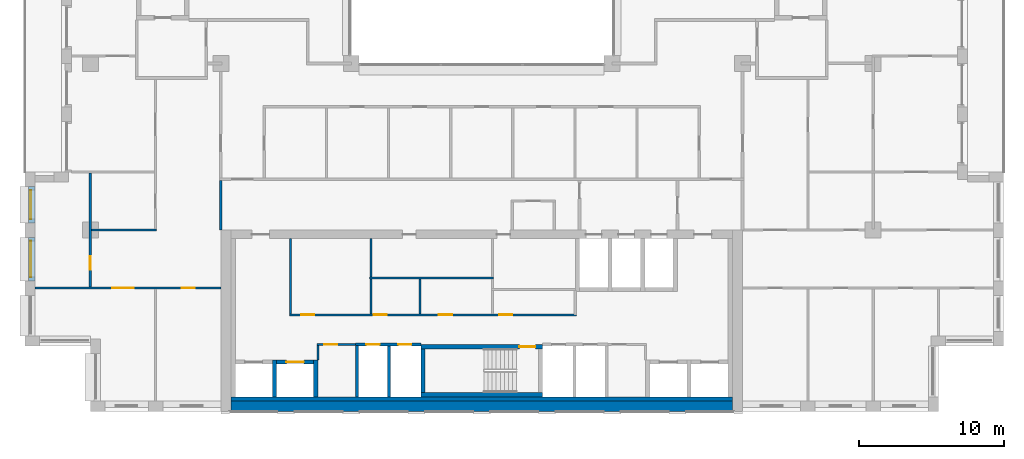
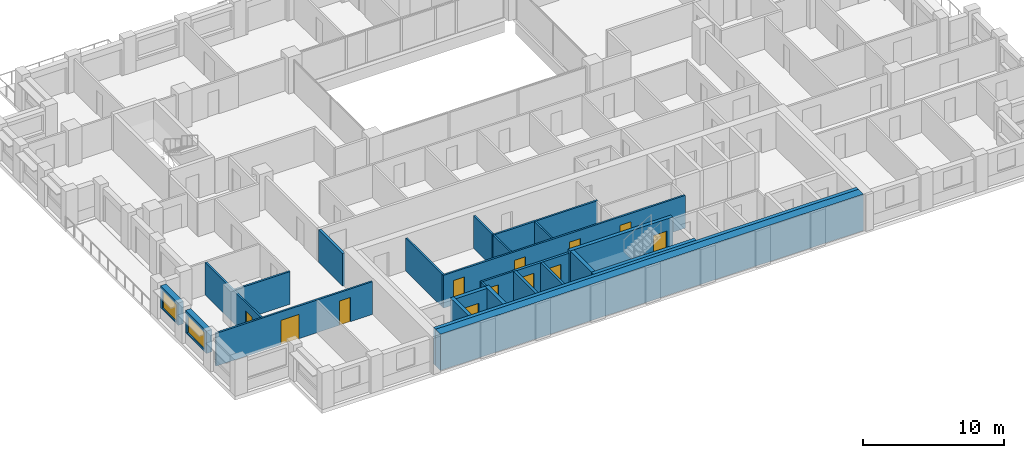
# One storey, part 8 of 15: 25 walls, 12 doors, 2 windows, 14 openings.
"""IFC4 building model written with IfcOpenShell, lengths in metres."""

from ifc_helpers import new_model, si_unit, direction, frame, frame_2d, origin, place, context, subcontext, project, spatial, rectangle, extrude, material, layer, layer_set, type_object, element, fill, save


model = new_model("IFC4")

# Units and contexts
model_context = context("Model", 3, precision=1e-05, world=origin(), true_north=direction((0.0, 1.0)))
body_context = subcontext(model_context, "Body", "Model", "MODEL_VIEW")
ifc_project = project(units=[si_unit("LENGTHUNIT", "METRE"), si_unit("AREAUNIT", "SQUARE_METRE"), si_unit("VOLUMEUNIT", "CUBIC_METRE"), si_unit("PLANEANGLEUNIT", "RADIAN"), si_unit("MASSUNIT", "GRAM", prefix="KILO")], contexts=[model_context])

# Site, building, storey
site_placement = place(None, origin())
site = spatial("IfcSite", under=ifc_project, at=site_placement, CompositionType="ELEMENT")
building_placement = place(site_placement, origin())
building = spatial("IfcBuilding", under=site, at=building_placement, Name="Brigalow Station Residences", CompositionType="ELEMENT")
storey_placement = place(building_placement, frame((0.0, 0.0, 175.949951171875)))
storey = spatial("IfcBuildingStorey", under=building, at=storey_placement, Name="L51", CompositionType="ELEMENT", Elevation=175.949951171875)

# Wall, opening, window
ifc_material_1 = material(Name="Clay brick masonry", Category="masonry")
ifc_layer_1 = layer(ifc_material_1, 0.449951171875)
ifc_layer_set_1 = layer_set([ifc_layer_1], Name="BRICK INFILL WALL 450")
wall_type_1 = type_object("IfcWallType", Name="BRICK INFILL WALL 450", PredefinedType="SOLIDWALL", material=ifc_layer_set_1)
wall_1_placement = place(storey_placement, frame((4.97509765625, 15.5, 0.900146484375), z_axis=(0.0, 0.0, 1.0), x_axis=(0.0, -1.0, 0.0)))
wall_1 = element("IfcWall", 1, at=wall_1_placement, inside=storey, type_object=wall_type_1, Name="L51/ewall/W-L51-45", PredefinedType="SOLIDWALL", context=body_context, shape_type="SweptSolid", body=[
    extrude(rectangle(XDim=2.5, YDim=0.449951171875, at=frame_2d((1.25, 0.0))), origin(), (0.0, 0.0, 1.0), 1.929931640625),
])
opening_1_placement = place(wall_1_placement, frame((0.25, 0.0, 0.14990234375)))
opening_1 = element("IfcOpeningElement", 2, at=opening_1_placement, cuts=wall_1, Name="Opening WT-7", PredefinedType="OPENING", context=body_context, shape_type="SweptSolid", body=[
    extrude(rectangle(XDim=2.0, YDim=1.5, at=frame_2d((1.0, 0.75))), frame((0.0, 0.23486328125, 0.0), z_axis=(0.0, -1.0, 0.0), x_axis=(1.0, 0.0, 0.0)), (0.0, 0.0, 1.0), 0.469970703125),
])
ifc_material_2 = material(Name="Anodised aluminium frame with double glazing", Category="aluminium")
window_type_1 = type_object("IfcWindowType", Name="WINDOW 2000x1500", PartitioningType="SINGLE_PANEL", PredefinedType="WINDOW", material=ifc_material_2)
window_1_placement = place(opening_1_placement, origin())
window_1 = element("IfcWindow", 3, at=window_1_placement, inside=storey, type_object=window_type_1, Name="L51/window/W-L51-45", OverallHeight=1.5, OverallWidth=2.0, PartitioningType="SINGLE_PANEL", PredefinedType="WINDOW", context=body_context, shape_type="SweptSolid", body=[
    extrude(rectangle(XDim=2.0, YDim=1.5, at=frame_2d((1.0, 0.75))), frame((0.0, -0.06494140625, 0.0), z_axis=(0.0, -1.0, 0.0), x_axis=(1.0, 0.0, 0.0)), (0.0, 0.0, 1.0), 0.06005859375),
])
fill(opening_1, window_1)

wall_2_placement = place(storey_placement, frame((4.97509765625, 12.0, 0.900146484375), z_axis=(0.0, 0.0, 1.0), x_axis=(0.0, -1.0, 0.0)))
wall_2 = element("IfcWall", 4, at=wall_2_placement, inside=storey, type_object=wall_type_1, Name="L51/ewall/W-L51-46", PredefinedType="SOLIDWALL", context=body_context, shape_type="SweptSolid", body=[
    extrude(rectangle(XDim=3.0, YDim=0.449951171875, at=frame_2d((1.5, 0.0))), origin(), (0.0, 0.0, 1.0), 1.929931640625),
])
opening_2_placement = place(wall_2_placement, frame((0.25, 0.0, 0.14990234375)))
opening_2 = element("IfcOpeningElement", 5, at=opening_2_placement, cuts=wall_2, Name="Opening WT-5", PredefinedType="OPENING", context=body_context, shape_type="SweptSolid", body=[
    extrude(rectangle(XDim=2.5, YDim=1.5, at=frame_2d((1.25, 0.75))), frame((0.0, 0.23486328125, 0.0), z_axis=(0.0, -1.0, 0.0), x_axis=(1.0, 0.0, 0.0)), (0.0, 0.0, 1.0), 0.469970703125),
])
ifc_material_3 = material(Name="Anodised aluminium frame with double glazing", Category="aluminium")
window_type_2 = type_object("IfcWindowType", Name="WINDOW 2500x1500", PartitioningType="SINGLE_PANEL", PredefinedType="WINDOW", material=ifc_material_3)
window_2_placement = place(opening_2_placement, origin())
window_2 = element("IfcWindow", 6, at=window_2_placement, inside=storey, type_object=window_type_2, Name="L51/window/W-L51-46", OverallHeight=1.5, OverallWidth=2.5, PartitioningType="SINGLE_PANEL", PredefinedType="WINDOW", context=body_context, shape_type="SweptSolid", body=[
    extrude(rectangle(XDim=2.5, YDim=1.5, at=frame_2d((1.25, 0.75))), frame((0.0, -0.06494140625, 0.0), z_axis=(0.0, -1.0, 0.0), x_axis=(1.0, 0.0, 0.0)), (0.0, 0.0, 1.0), 0.06005859375),
])
fill(opening_2, window_2)

# Wall
ifc_material_4 = material(Name="Concrete C65", Category="concrete")
ifc_layer_2 = layer(ifc_material_4, 0.300048828125)
ifc_layer_set_2 = layer_set([ifc_layer_2], Name="CORE SHEAR WALL 300 C65")
wall_type_2 = type_object("IfcWallType", Name="CORE SHEAR WALL 300 C65", PredefinedType="SHEAR", material=ifc_layer_set_2)
wall_3_placement = place(storey_placement, frame((18.699951171875, 0.85009765625, 0.0), z_axis=(0.0, 0.0, 1.0), x_axis=(1.0, 0.0, 0.0)))
element("IfcWall", 7, at=wall_3_placement, inside=storey, type_object=wall_type_2, Name="CORE WALL LIN-S L51", PredefinedType="SHEAR", context=body_context, shape_type="SweptSolid", body=[
    extrude(rectangle(XDim=34.60009765625, YDim=0.300048828125, at=frame_2d((17.300048828125, 0.0))), origin(), (0.0, 0.0, 1.0), 3.150146484375),
])

# Wall, opening, door
wall_4_placement = place(storey_placement, frame((21.85009765625, 3.39990234375, 0.0), z_axis=(0.0, 0.0, 1.0), x_axis=(1.0, 0.0, 0.0)))
wall_4 = element("IfcWall", 8, at=wall_4_placement, inside=storey, type_object=wall_type_2, Name="CORE WALL SH-C2-N L51", PredefinedType="SHEAR", context=body_context, shape_type="SweptSolid", body=[
    extrude(rectangle(XDim=2.5498046875, YDim=0.300048828125, at=frame_2d((1.27490234375, 0.0))), origin(), (0.0, 0.0, 1.0), 3.150146484375),
])
opening_3_placement = place(wall_4_placement, frame((0.675048828125, 0.0, 0.0)))
opening_3 = element("IfcOpeningElement", 9, at=opening_3_placement, cuts=wall_4, Name="Opening LD-LB2", PredefinedType="OPENING", context=body_context, shape_type="SweptSolid", body=[
    extrude(rectangle(XDim=1.199951171875, YDim=2.10009765625, at=frame_2d((0.60009765625, 1.050048828125))), frame((0.0, 0.16015625, 0.0), z_axis=(0.0, -1.0, 0.0), x_axis=(1.0, 0.0, 0.0)), (0.0, 0.0, 1.0), 0.320068359375),
])
ifc_material_5 = material(Name="Stainless steel sliding door leaves", Category="steel")
door_type_1 = type_object("IfcDoorType", Name="LIFT LANDING DOOR 1200 x 2100", OperationType="DOUBLE_DOOR_SLIDING", PredefinedType="DOOR", material=ifc_material_5)
door_1_placement = place(opening_3_placement, origin())
door_1 = element("IfcDoor", 10, at=door_1_placement, inside=storey, type_object=door_type_1, Name="LANDING DOOR LB2", OperationType="DOUBLE_DOOR_SLIDING", OverallHeight=2.10009765625, OverallWidth=1.199951171875, PredefinedType="DOOR", context=body_context, shape_type="SweptSolid", body=[
    extrude(rectangle(XDim=1.199951171875, YDim=2.10009765625, at=frame_2d((0.60009765625, 1.050048828125))), frame((0.0, 0.02490234375, 0.0), z_axis=(0.0, -1.0, 0.0), x_axis=(1.0, 0.0, 0.0)), (0.0, 0.0, 1.0), 0.050048828125),
])
fill(opening_3, door_1)

# Walls
for number, where, z_axis, x_axis, name in (
    (11, (21.699951171875, 1.0, 0.0), (0.0, 0.0, 1.0), (0.0, 1.0, 0.0), "CORE WALL SH-C2-W L51"),
    (12, (24.550048828125, 1.0, 0.0), (0.0, 0.0, 1.0), (0.0, 1.0, 0.0), "CORE WALL SH-C2-E L51"),
):
    element("IfcWall", number, at=place(storey_placement, frame(where, z_axis=z_axis, x_axis=x_axis)), inside=storey, type_object=wall_type_2, Name=name, PredefinedType="SHEAR", context=body_context, shape_type="SweptSolid", body=[
        extrude(rectangle(XDim=2.550048828125, YDim=0.300048828125, at=frame_2d((1.27490234375, 0.0))), origin(), (0.0, 0.0, 1.0), 3.150146484375),
    ])
wall_5_placement = place(storey_placement, frame((31.800048828125, 1.14990234375, 0.0), z_axis=(0.0, 0.0, 1.0), x_axis=(1.0, 0.0, 0.0)))
element("IfcWall", 13, at=wall_5_placement, inside=storey, type_object=wall_type_2, Name="CORE WALL ST-S2-S L51", PredefinedType="SHEAR", context=body_context, shape_type="SweptSolid", body=[
    extrude(rectangle(XDim=8.39990234375, YDim=0.300048828125, at=frame_2d((4.199951171875, 0.0))), origin(), (0.0, 0.0, 1.0), 3.150146484375),
])

# Wall, opening, door
wall_6_placement = place(storey_placement, frame((31.800048828125, 4.449951171875, 0.0), z_axis=(0.0, 0.0, 1.0), x_axis=(1.0, 0.0, 0.0)))
wall_6 = element("IfcWall", 14, at=wall_6_placement, inside=storey, type_object=wall_type_2, Name="CORE WALL ST-S2-N L51", PredefinedType="SHEAR", context=body_context, shape_type="SweptSolid", body=[
    extrude(rectangle(XDim=8.39990234375, YDim=0.300048828125, at=frame_2d((4.199951171875, 0.0))), origin(), (0.0, 0.0, 1.0), 3.150146484375),
])
opening_4_placement = place(wall_6_placement, frame((6.800048828125, 0.0, 0.0)))
opening_4 = element("IfcOpeningElement", 15, at=opening_4_placement, cuts=wall_6, Name="Opening D-5001", PredefinedType="OPENING", context=body_context, shape_type="SweptSolid", body=[
    extrude(rectangle(XDim=1.10009765625, YDim=2.10009765625, at=frame_2d((0.550048828125, 1.050048828125))), frame((0.0, 0.16015625, 0.0), z_axis=(0.0, -1.0, 0.0), x_axis=(1.0, 0.0, 0.0)), (0.0, 0.0, 1.0), 0.320068359375),
])
ifc_material_6 = material(Name="Steel fire door leaf in steel frame", Category="steel")
door_type_2 = type_object("IfcDoorType", Name="STAIR DOOR 1100 x 2100 FD60S", OperationType="SINGLE_SWING_LEFT", PredefinedType="DOOR", material=ifc_material_6)
door_2_placement = place(opening_4_placement, frame((1.10009765625, 0.0, 0.0), z_axis=(0.0, 0.0, 1.0), x_axis=(-1.0, 0.0, 0.0)))
door_2 = element("IfcDoor", 16, at=door_2_placement, inside=storey, type_object=door_type_2, Name="D-5001", OperationType="SINGLE_SWING_LEFT", OverallHeight=2.10009765625, OverallWidth=1.10009765625, PredefinedType="DOOR", context=body_context, shape_type="SweptSolid", body=[
    extrude(rectangle(XDim=1.10009765625, YDim=2.10009765625, at=frame_2d((0.550048828125, 1.050048828125))), frame((0.0, 0.02490234375, 0.0), z_axis=(0.0, -1.0, 0.0), x_axis=(1.0, 0.0, 0.0)), (0.0, 0.0, 1.0), 0.050048828125),
])
fill(opening_4, door_2)

# Walls
wall_7_placement = place(storey_placement, frame((31.949951171875, 1.300048828125, 0.0), z_axis=(0.0, 0.0, 1.0), x_axis=(0.0, 1.0, 0.0)))
element("IfcWall", 17, at=wall_7_placement, inside=storey, type_object=wall_type_2, Name="CORE WALL ST-S2-W L51", PredefinedType="SHEAR", context=body_context, shape_type="SweptSolid", body=[
    extrude(rectangle(XDim=3.0, YDim=0.300048828125, at=frame_2d((1.5, 0.0))), origin(), (0.0, 0.0, 1.0), 3.150146484375),
])
ifc_material_7 = material(Name="Concrete C65", Category="concrete")
ifc_layer_3 = layer(ifc_material_7, 0.699951171875)
ifc_layer_set_3 = layer_set([ifc_layer_3], Name="CORE SHEAR WALL 700 C65")
wall_type_3 = type_object("IfcWallType", Name="CORE SHEAR WALL 700 C65", PredefinedType="SHEAR", material=ifc_layer_set_3)
wall_8_placement = place(storey_placement, frame((18.699951171875, 0.35009765625, 0.0), z_axis=(0.0, 0.0, 1.0), x_axis=(1.0, 0.0, 0.0)))
element("IfcWall", 18, at=wall_8_placement, inside=storey, type_object=wall_type_3, Name="CORE WALL OUT-S L51", PredefinedType="SHEAR", context=body_context, shape_type="SweptSolid", body=[
    extrude(rectangle(XDim=34.60009765625, YDim=0.699951171875, at=frame_2d((17.300048828125, 0.0))), origin(), (0.0, 0.0, 1.0), 3.150146484375),
])

# Wall, openings, doors
ifc_material_8 = material(Name="Concrete blockwork", Category="masonry")
ifc_layer_4 = layer(ifc_material_8, 0.199951171875)
ifc_layer_set_4 = layer_set([ifc_layer_4], Name="FIRE RATED CORE PARTITION 200")
wall_type_4 = type_object("IfcWallType", Name="FIRE RATED CORE PARTITION 200", PredefinedType="PARTITIONING", material=ifc_layer_set_4)
wall_9_placement = place(storey_placement, frame((27.300048828125, 4.60009765625, 0.0), z_axis=(0.0, 0.0, 1.0), x_axis=(1.0, 0.0, 0.0)))
wall_9 = element("IfcWall", 19, at=wall_9_placement, inside=storey, type_object=wall_type_4, Name="PW-5017", PredefinedType="PARTITIONING", context=body_context, shape_type="SweptSolid", body=[
    extrude(rectangle(XDim=4.5, YDim=0.199951171875, at=frame_2d((2.25, 0.0))), origin(), (0.0, 0.0, 1.0), 2.830078125),
])
opening_5_placement = place(wall_9_placement, frame((0.75, 0.0, 0.0)))
opening_5 = element("IfcOpeningElement", 20, at=opening_5_placement, cuts=wall_9, Name="Opening D-5007", PredefinedType="OPENING", context=body_context, shape_type="SweptSolid", body=[
    extrude(rectangle(XDim=0.89990234375, YDim=2.10009765625, at=frame_2d((0.449951171875, 1.050048828125))), frame((0.0, 0.10986328125, 0.0), z_axis=(0.0, -1.0, 0.0), x_axis=(1.0, 0.0, 0.0)), (0.0, 0.0, 1.0), 0.219970703125),
])
opening_6_placement = place(wall_9_placement, frame((2.949951171875, 0.0, 0.0)))
opening_6 = element("IfcOpeningElement", 21, at=opening_6_placement, cuts=wall_9, Name="Opening D-5008", PredefinedType="OPENING", context=body_context, shape_type="SweptSolid", body=[
    extrude(rectangle(XDim=0.89990234375, YDim=2.10009765625, at=frame_2d((0.449951171875, 1.050048828125))), frame((0.0, 0.10986328125, 0.0), z_axis=(0.0, -1.0, 0.0), x_axis=(1.0, 0.0, 0.0)), (0.0, 0.0, 1.0), 0.219970703125),
])
ifc_material_9 = material(Name="Steel fire door leaf in steel frame", Category="steel")
door_type_3 = type_object("IfcDoorType", Name="RISER ACCESS DOOR 900 x 2100 FD120", OperationType="SINGLE_SWING_LEFT", PredefinedType="DOOR", material=ifc_material_9)
door_3_placement = place(opening_5_placement, frame((0.89990234375, 0.0, 0.0), z_axis=(0.0, 0.0, 1.0), x_axis=(-1.0, 0.0, 0.0)))
door_3 = element("IfcDoor", 22, at=door_3_placement, inside=storey, type_object=door_type_3, Name="D-5007", OperationType="SINGLE_SWING_RIGHT", OverallHeight=2.10009765625, OverallWidth=0.89990234375, PredefinedType="DOOR", context=body_context, shape_type="SweptSolid", body=[
    extrude(rectangle(XDim=0.89990234375, YDim=2.10009765625, at=frame_2d((0.449951171875, 1.050048828125))), frame((0.0, 0.02490234375, 0.0), z_axis=(0.0, -1.0, 0.0), x_axis=(1.0, 0.0, 0.0)), (0.0, 0.0, 1.0), 0.050048828125),
])
fill(opening_5, door_3)
door_4_placement = place(opening_6_placement, frame((0.89990234375, 0.0, 0.0), z_axis=(0.0, 0.0, 1.0), x_axis=(-1.0, 0.0, 0.0)))
door_4 = element("IfcDoor", 23, at=door_4_placement, inside=storey, type_object=door_type_3, Name="D-5008", OperationType="SINGLE_SWING_RIGHT", OverallHeight=2.10009765625, OverallWidth=0.89990234375, PredefinedType="DOOR", context=body_context, shape_type="SweptSolid", body=[
    extrude(rectangle(XDim=0.89990234375, YDim=2.10009765625, at=frame_2d((0.449951171875, 1.050048828125))), frame((0.0, 0.02490234375, 0.0), z_axis=(0.0, -1.0, 0.0), x_axis=(1.0, 0.0, 0.0)), (0.0, 0.0, 1.0), 0.050048828125),
])
fill(opening_6, door_4)

# Walls
wall_10_placement = place(storey_placement, frame((27.39990234375, 1.0, 0.0), z_axis=(0.0, 0.0, 1.0), x_axis=(0.0, 1.0, 0.0)))
element("IfcWall", 24, at=wall_10_placement, inside=storey, type_object=wall_type_4, Name="PW-5027", PredefinedType="PARTITIONING", context=body_context, shape_type="SweptSolid", body=[
    extrude(rectangle(XDim=3.52490234375, YDim=0.199951171875, at=frame_2d((1.762451171875, 0.0))), origin(), (0.0, 0.0, 1.0), 2.830078125),
])
wall_11_placement = place(storey_placement, frame((29.60009765625, 1.0, 0.0), z_axis=(0.0, 0.0, 1.0), x_axis=(0.0, 1.0, 0.0)))
element("IfcWall", 25, at=wall_11_placement, inside=storey, type_object=wall_type_4, Name="PW-5006", PredefinedType="PARTITIONING", context=body_context, shape_type="SweptSolid", body=[
    extrude(rectangle(XDim=3.5, YDim=0.199951171875, at=frame_2d((1.75, 0.0))), origin(), (0.0, 0.0, 1.0), 2.830078125),
])
wall_12_placement = place(storey_placement, frame((18.0, 12.5, 0.0), z_axis=(0.0, 0.0, 1.0), x_axis=(0.0, 1.0, 0.0)))
element("IfcWall", 26, at=wall_12_placement, inside=storey, type_object=wall_type_4, Name="PW-5013", PredefinedType="PARTITIONING", context=body_context, shape_type="SweptSolid", body=[
    extrude(rectangle(XDim=3.39990234375, YDim=0.199951171875, at=frame_2d((1.699951171875, 0.0))), origin(), (0.0, 0.0, 1.0), 2.830078125),
])

# Wall, openings, doors
ifc_material_10 = material(Name="Plasterboard on steel stud partition", Category="steel")
ifc_layer_5 = layer(ifc_material_10, 0.14990234375)
ifc_layer_set_5 = layer_set([ifc_layer_5], Name="FLAT PARTITION 150")
wall_type_5 = type_object("IfcWallType", Name="FLAT PARTITION 150", PredefinedType="PARTITIONING", material=ifc_layer_set_5)
wall_13_placement = place(storey_placement, frame((5.199951171875, 8.5, 0.0), z_axis=(0.0, 0.0, 1.0), x_axis=(1.0, 0.0, 0.0)))
wall_13 = element("IfcWall", 27, at=wall_13_placement, inside=storey, type_object=wall_type_5, Name="PW-3E09", PredefinedType="PARTITIONING", context=body_context, shape_type="SweptSolid", body=[
    extrude(rectangle(XDim=12.800048828125, YDim=0.14990234375, at=frame_2d((6.39990234375, 0.0))), origin(), (0.0, 0.0, 1.0), 2.830078125),
])
opening_7_placement = place(wall_13_placement, frame((10.10009765625, 0.0, 0.0)))
opening_7 = element("IfcOpeningElement", 28, at=opening_7_placement, cuts=wall_13, Name="Opening D-3E04", PredefinedType="OPENING", context=body_context, shape_type="SweptSolid", body=[
    extrude(rectangle(XDim=0.89990234375, YDim=2.10009765625, at=frame_2d((0.449951171875, 1.050048828125))), frame((0.0, 0.0849609375, 0.0), z_axis=(0.0, -1.0, 0.0), x_axis=(1.0, 0.0, 0.0)), (0.0, 0.0, 1.0), 0.169921875),
])
opening_8_placement = place(wall_13_placement, frame((5.300048828125, 0.0, 0.0)))
opening_8 = element("IfcOpeningElement", 29, at=opening_8_placement, cuts=wall_13, Name="Opening D-3E07", PredefinedType="OPENING", context=body_context, shape_type="SweptSolid", body=[
    extrude(rectangle(XDim=1.5, YDim=2.10009765625, at=frame_2d((0.75, 1.050048828125))), frame((0.0, 0.0849609375, 0.0), z_axis=(0.0, -1.0, 0.0), x_axis=(1.0, 0.0, 0.0)), (0.0, 0.0, 1.0), 0.169921875),
])
ifc_material_11 = material(Name="Solid-core timber door leaf", Category="wood")
door_type_4 = type_object("IfcDoorType", Name="INTERNAL DOOR 900 x 2100", OperationType="SINGLE_SWING_LEFT", PredefinedType="DOOR", material=ifc_material_11)
door_5_placement = place(opening_7_placement, frame((0.89990234375, 0.0, 0.0), z_axis=(0.0, 0.0, 1.0), x_axis=(-1.0, 0.0, 0.0)))
door_5 = element("IfcDoor", 30, at=door_5_placement, inside=storey, type_object=door_type_4, Name="D-3E04", OperationType="SINGLE_SWING_RIGHT", OverallHeight=2.10009765625, OverallWidth=0.89990234375, PredefinedType="DOOR", context=body_context, shape_type="SweptSolid", body=[
    extrude(rectangle(XDim=0.89990234375, YDim=2.10009765625, at=frame_2d((0.449951171875, 1.050048828125))), frame((0.0, 0.02490234375, 0.0), z_axis=(0.0, -1.0, 0.0), x_axis=(1.0, 0.0, 0.0)), (0.0, 0.0, 1.0), 0.050048828125),
])
fill(opening_7, door_5)
ifc_material_12 = material(Name="Solid-core timber door leaf", Category="wood")
door_type_5 = type_object("IfcDoorType", Name="INTERNAL DOUBLE DOOR 1500 x 2100", OperationType="DOUBLE_DOOR_SINGLE_SWING", PredefinedType="DOOR", material=ifc_material_12)
door_6_placement = place(opening_8_placement, frame((1.5, 0.0, 0.0), z_axis=(0.0, 0.0, 1.0), x_axis=(-1.0, 0.0, 0.0)))
door_6 = element("IfcDoor", 31, at=door_6_placement, inside=storey, type_object=door_type_5, Name="D-3E07", OperationType="DOUBLE_DOOR_SINGLE_SWING", OverallHeight=2.10009765625, OverallWidth=1.5, PredefinedType="DOOR", context=body_context, shape_type="SweptSolid", body=[
    extrude(rectangle(XDim=1.5, YDim=2.10009765625, at=frame_2d((0.75, 1.050048828125))), frame((0.0, 0.02490234375, 0.0), z_axis=(0.0, -1.0, 0.0), x_axis=(1.0, 0.0, 0.0)), (0.0, 0.0, 1.0), 0.050048828125),
])
fill(opening_8, door_6)

# Wall
wall_14_placement = place(storey_placement, frame((9.074951171875, 12.5, 0.0), z_axis=(0.0, 0.0, 1.0), x_axis=(1.0, 0.0, 0.0)))
element("IfcWall", 32, at=wall_14_placement, inside=storey, type_object=wall_type_5, Name="PW-3E13", PredefinedType="PARTITIONING", context=body_context, shape_type="SweptSolid", body=[
    extrude(rectangle(XDim=4.5, YDim=0.14990234375, at=frame_2d((2.25, 0.0))), origin(), (0.0, 0.0, 1.0), 2.830078125),
])

# Wall, opening, door
wall_15_placement = place(storey_placement, frame((9.0, 8.574951171875, 0.0), z_axis=(0.0, 0.0, 1.0), x_axis=(0.0, 1.0, 0.0)))
wall_15 = element("IfcWall", 33, at=wall_15_placement, inside=storey, type_object=wall_type_5, Name="PW-3E38", PredefinedType="PARTITIONING", context=body_context, shape_type="SweptSolid", body=[
    extrude(rectangle(XDim=7.85009765625, YDim=0.14990234375, at=frame_2d((3.925048828125, 0.0))), origin(), (0.0, 0.0, 1.0), 2.830078125),
])
opening_9_placement = place(wall_15_placement, frame((1.199951171875, 0.0, 0.0)))
opening_9 = element("IfcOpeningElement", 34, at=opening_9_placement, cuts=wall_15, Name="Opening D-3E05", PredefinedType="OPENING", context=body_context, shape_type="SweptSolid", body=[
    extrude(rectangle(XDim=0.89990234375, YDim=2.10009765625, at=frame_2d((0.449951171875, 1.050048828125))), frame((0.0, 0.0849609375, 0.0), z_axis=(0.0, -1.0, 0.0), x_axis=(1.0, 0.0, 0.0)), (0.0, 0.0, 1.0), 0.169921875),
])
door_7_placement = place(opening_9_placement, origin())
door_7 = element("IfcDoor", 35, at=door_7_placement, inside=storey, type_object=door_type_4, Name="D-3E05", OperationType="SINGLE_SWING_LEFT", OverallHeight=2.10009765625, OverallWidth=0.89990234375, PredefinedType="DOOR", context=body_context, shape_type="SweptSolid", body=[
    extrude(rectangle(XDim=0.89990234375, YDim=2.10009765625, at=frame_2d((0.449951171875, 1.050048828125))), frame((0.0, 0.02490234375, 0.0), z_axis=(0.0, -1.0, 0.0), x_axis=(1.0, 0.0, 0.0)), (0.0, 0.0, 1.0), 0.050048828125),
])
fill(opening_9, door_7)

ifc_material_13 = material(Name="Plasterboard on steel studs", Category="steel")
ifc_layer_6 = layer(ifc_material_13, 0.14990234375)
ifc_layer_set_6 = layer_set([ifc_layer_6], Name="SERVICE ROOM PARTITION 150")
wall_type_6 = type_object("IfcWallType", Name="SERVICE ROOM PARTITION 150", PredefinedType="PARTITIONING", material=ifc_layer_set_6)
wall_16_placement = place(storey_placement, frame((24.625, 4.60009765625, 0.0), z_axis=(0.0, 0.0, 1.0), x_axis=(1.0, 0.0, 0.0)))
wall_16 = element("IfcWall", 36, at=wall_16_placement, inside=storey, type_object=wall_type_6, Name="PW-5155", PredefinedType="PARTITIONING", context=body_context, shape_type="SweptSolid", body=[
    extrude(rectangle(XDim=2.675048828125, YDim=0.14990234375, at=frame_2d((1.33740234375, 0.0))), origin(), (0.0, 0.0, 1.0), 2.830078125),
])
opening_10_placement = place(wall_16_placement, frame((0.52490234375, 0.0, 0.0)))
opening_10 = element("IfcOpeningElement", 37, at=opening_10_placement, cuts=wall_16, Name="Opening D-5087", PredefinedType="OPENING", context=body_context, shape_type="SweptSolid", body=[
    extrude(rectangle(XDim=0.89990234375, YDim=2.10009765625, at=frame_2d((0.449951171875, 1.050048828125))), frame((0.0, 0.0849609375, 0.0), z_axis=(0.0, -1.0, 0.0), x_axis=(1.0, 0.0, 0.0)), (0.0, 0.0, 1.0), 0.169921875),
])
ifc_material_14 = material(Name="Steel door leaf in steel frame", Category="steel")
door_type_6 = type_object("IfcDoorType", Name="SERVICE ROOM DOOR 900 x 2100 FD60", OperationType="SINGLE_SWING_LEFT", PredefinedType="DOOR", material=ifc_material_14)
door_8_placement = place(opening_10_placement, frame((0.89990234375, 0.0, 0.0), z_axis=(0.0, 0.0, 1.0), x_axis=(-1.0, 0.0, 0.0)))
door_8 = element("IfcDoor", 38, at=door_8_placement, inside=storey, type_object=door_type_6, Name="D-5087", OperationType="SINGLE_SWING_RIGHT", OverallHeight=2.10009765625, OverallWidth=0.89990234375, PredefinedType="DOOR", context=body_context, shape_type="SweptSolid", body=[
    extrude(rectangle(XDim=0.89990234375, YDim=2.10009765625, at=frame_2d((0.449951171875, 1.050048828125))), frame((0.0, 0.02490234375, 0.0), z_axis=(0.0, -1.0, 0.0), x_axis=(1.0, 0.0, 0.0)), (0.0, 0.0, 1.0), 0.050048828125),
])
fill(opening_10, door_8)

# Wall, openings, doors
wall_17_placement = place(storey_placement, frame((22.72509765625, 6.64990234375, 0.0), z_axis=(0.0, 0.0, 1.0), x_axis=(1.0, 0.0, 0.0)))
wall_17 = element("IfcWall", 39, at=wall_17_placement, inside=storey, type_object=wall_type_6, Name="PW-5195", PredefinedType="PARTITIONING", context=body_context, shape_type="SweptSolid", body=[
    extrude(rectangle(XDim=19.7998046875, YDim=0.14990234375, at=frame_2d((9.89990234375, 0.0))), origin(), (0.0, 0.0, 1.0), 2.830078125),
])
opening_11_placement = place(wall_17_placement, frame((0.824951171875, 0.0, 0.0)))
opening_11 = element("IfcOpeningElement", 40, at=opening_11_placement, cuts=wall_17, Name="Opening D-5110", PredefinedType="OPENING", context=body_context, shape_type="SweptSolid", body=[
    extrude(rectangle(XDim=0.89990234375, YDim=2.10009765625, at=frame_2d((0.449951171875, 1.050048828125))), frame((0.0, 0.0849609375, 0.0), z_axis=(0.0, -1.0, 0.0), x_axis=(1.0, 0.0, 0.0)), (0.0, 0.0, 1.0), 0.169921875),
])
opening_12_placement = place(wall_17_placement, frame((5.824951171875, 0.0, 0.0)))
opening_12 = element("IfcOpeningElement", 41, at=opening_12_placement, cuts=wall_17, Name="Opening D-5111", PredefinedType="OPENING", context=body_context, shape_type="SweptSolid", body=[
    extrude(rectangle(XDim=0.89990234375, YDim=2.10009765625, at=frame_2d((0.449951171875, 1.050048828125))), frame((0.0, 0.0849609375, 0.0), z_axis=(0.0, -1.0, 0.0), x_axis=(1.0, 0.0, 0.0)), (0.0, 0.0, 1.0), 0.169921875),
])
opening_13_placement = place(wall_17_placement, frame((10.324951171875, 0.0, 0.0)))
opening_13 = element("IfcOpeningElement", 42, at=opening_13_placement, cuts=wall_17, Name="Opening D-5112", PredefinedType="OPENING", context=body_context, shape_type="SweptSolid", body=[
    extrude(rectangle(XDim=0.89990234375, YDim=2.10009765625, at=frame_2d((0.449951171875, 1.050048828125))), frame((0.0, 0.0849609375, 0.0), z_axis=(0.0, -1.0, 0.0), x_axis=(1.0, 0.0, 0.0)), (0.0, 0.0, 1.0), 0.169921875),
])
opening_14_placement = place(wall_17_placement, frame((14.47509765625, 0.0, 0.0)))
opening_14 = element("IfcOpeningElement", 43, at=opening_14_placement, cuts=wall_17, Name="Opening D-5114", PredefinedType="OPENING", context=body_context, shape_type="SweptSolid", body=[
    extrude(rectangle(XDim=0.89990234375, YDim=2.10009765625, at=frame_2d((0.449951171875, 1.050048828125))), frame((0.0, 0.0849609375, 0.0), z_axis=(0.0, -1.0, 0.0), x_axis=(1.0, 0.0, 0.0)), (0.0, 0.0, 1.0), 0.169921875),
])
door_9_placement = place(opening_11_placement, origin())
door_9 = element("IfcDoor", 44, at=door_9_placement, inside=storey, type_object=door_type_6, Name="D-5110", OperationType="SINGLE_SWING_LEFT", OverallHeight=2.10009765625, OverallWidth=0.89990234375, PredefinedType="DOOR", context=body_context, shape_type="SweptSolid", body=[
    extrude(rectangle(XDim=0.89990234375, YDim=2.10009765625, at=frame_2d((0.449951171875, 1.050048828125))), frame((0.0, 0.02490234375, 0.0), z_axis=(0.0, -1.0, 0.0), x_axis=(1.0, 0.0, 0.0)), (0.0, 0.0, 1.0), 0.050048828125),
])
fill(opening_11, door_9)
door_10_placement = place(opening_12_placement, origin())
door_10 = element("IfcDoor", 45, at=door_10_placement, inside=storey, type_object=door_type_6, Name="D-5111", OperationType="SINGLE_SWING_LEFT", OverallHeight=2.10009765625, OverallWidth=0.89990234375, PredefinedType="DOOR", context=body_context, shape_type="SweptSolid", body=[
    extrude(rectangle(XDim=0.89990234375, YDim=2.10009765625, at=frame_2d((0.449951171875, 1.050048828125))), frame((0.0, 0.02490234375, 0.0), z_axis=(0.0, -1.0, 0.0), x_axis=(1.0, 0.0, 0.0)), (0.0, 0.0, 1.0), 0.050048828125),
])
fill(opening_12, door_10)
door_11_placement = place(opening_13_placement, origin())
door_11 = element("IfcDoor", 46, at=door_11_placement, inside=storey, type_object=door_type_6, Name="D-5112", OperationType="SINGLE_SWING_LEFT", OverallHeight=2.10009765625, OverallWidth=0.89990234375, PredefinedType="DOOR", context=body_context, shape_type="SweptSolid", body=[
    extrude(rectangle(XDim=0.89990234375, YDim=2.10009765625, at=frame_2d((0.449951171875, 1.050048828125))), frame((0.0, 0.02490234375, 0.0), z_axis=(0.0, -1.0, 0.0), x_axis=(1.0, 0.0, 0.0)), (0.0, 0.0, 1.0), 0.050048828125),
])
fill(opening_13, door_11)
door_12_placement = place(opening_14_placement, origin())
door_12 = element("IfcDoor", 47, at=door_12_placement, inside=storey, type_object=door_type_6, Name="D-5114", OperationType="SINGLE_SWING_LEFT", OverallHeight=2.10009765625, OverallWidth=0.89990234375, PredefinedType="DOOR", context=body_context, shape_type="SweptSolid", body=[
    extrude(rectangle(XDim=0.89990234375, YDim=2.10009765625, at=frame_2d((0.449951171875, 1.050048828125))), frame((0.0, 0.02490234375, 0.0), z_axis=(0.0, -1.0, 0.0), x_axis=(1.0, 0.0, 0.0)), (0.0, 0.0, 1.0), 0.050048828125),
])
fill(opening_14, door_12)

# Walls
wall_18_placement = place(storey_placement, frame((28.27490234375, 9.18994140625, 0.0), z_axis=(0.0, 0.0, 1.0), x_axis=(1.0, 0.0, 0.0)))
element("IfcWall", 48, at=wall_18_placement, inside=storey, type_object=wall_type_6, Name="PW-5230", PredefinedType="PARTITIONING", context=body_context, shape_type="SweptSolid", body=[
    extrude(rectangle(XDim=8.550048828125, YDim=0.14990234375, at=frame_2d((4.27490234375, 0.0))), origin(), (0.0, 0.0, 1.0), 2.830078125),
])
wall_19_placement = place(storey_placement, frame((24.699951171875, 3.550048828125, 0.0), z_axis=(0.0, 0.0, 1.0), x_axis=(0.0, 1.0, 0.0)))
element("IfcWall", 49, at=wall_19_placement, inside=storey, type_object=wall_type_6, Name="PW-5157", PredefinedType="PARTITIONING", context=body_context, shape_type="SweptSolid", body=[
    extrude(rectangle(XDim=0.974853515625, YDim=0.14990234375, at=frame_2d((0.4873046875, 0.0))), origin(), (0.0, 0.0, 1.0), 2.830078125),
])
wall_20_placement = place(storey_placement, frame((22.800048828125, 6.72509765625, 0.0), z_axis=(0.0, 0.0, 1.0), x_axis=(0.0, 1.0, 0.0)))
element("IfcWall", 50, at=wall_20_placement, inside=storey, type_object=wall_type_6, Name="PW-5197", PredefinedType="PARTITIONING", context=body_context, shape_type="SweptSolid", body=[
    extrude(rectangle(XDim=5.1748046875, YDim=0.14990234375, at=frame_2d((2.58740234375, 0.0))), origin(), (0.0, 0.0, 1.0), 2.830078125),
])
for number, where, z_axis, x_axis, name in (
    (51, (28.35009765625, 6.72509765625, 0.0), (0.0, 0.0, 1.0), (0.0, 1.0, 0.0), "PW-5231"),
    (52, (31.72998046875, 6.72509765625, 0.0), (0.0, 0.0, 1.0), (0.0, 1.0, 0.0), "PW-5232"),
):
    element("IfcWall", number, at=place(storey_placement, frame(where, z_axis=z_axis, x_axis=x_axis)), inside=storey, type_object=wall_type_6, Name=name, PredefinedType="PARTITIONING", context=body_context, shape_type="SweptSolid", body=[
        extrude(rectangle(XDim=2.389892578125, YDim=0.14990234375, at=frame_2d((1.19482421875, 0.0))), origin(), (0.0, 0.0, 1.0), 2.830078125),
    ])
wall_21_placement = place(storey_placement, frame((28.35009765625, 9.264892578125, 0.0), z_axis=(0.0, 0.0, 1.0), x_axis=(0.0, 1.0, 0.0)))
element("IfcWall", 53, at=wall_21_placement, inside=storey, type_object=wall_type_6, Name="PW-5234", PredefinedType="PARTITIONING", context=body_context, shape_type="SweptSolid", body=[
    extrude(rectangle(XDim=2.635009765625, YDim=0.14990234375, at=frame_2d((1.3173828125, 0.0))), origin(), (0.0, 0.0, 1.0), 2.830078125),
])

save(model, "model.ifc")
